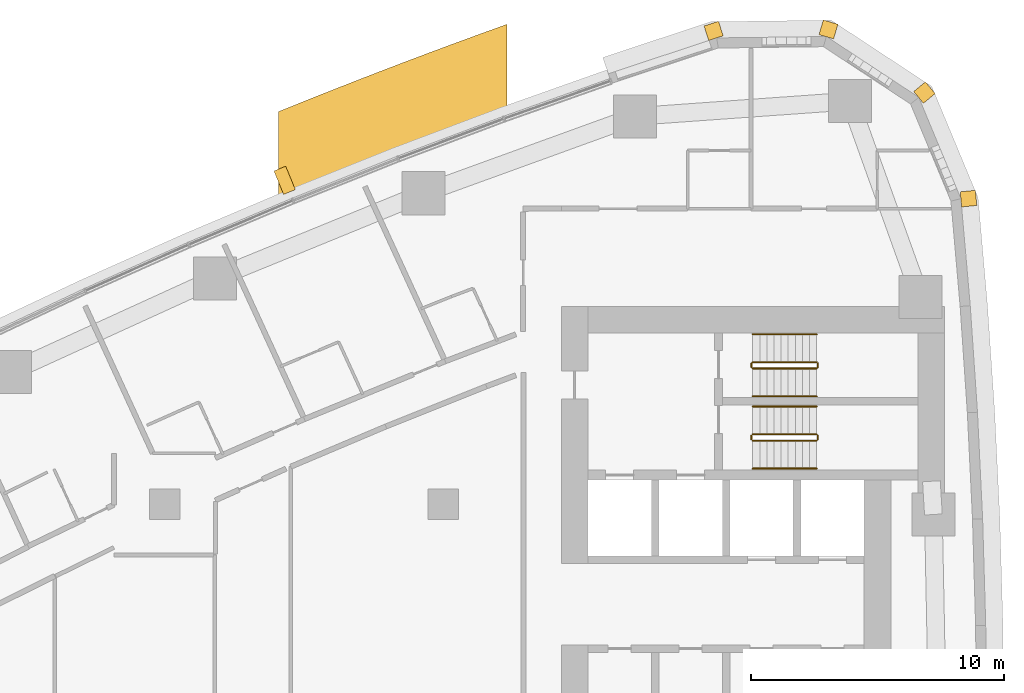
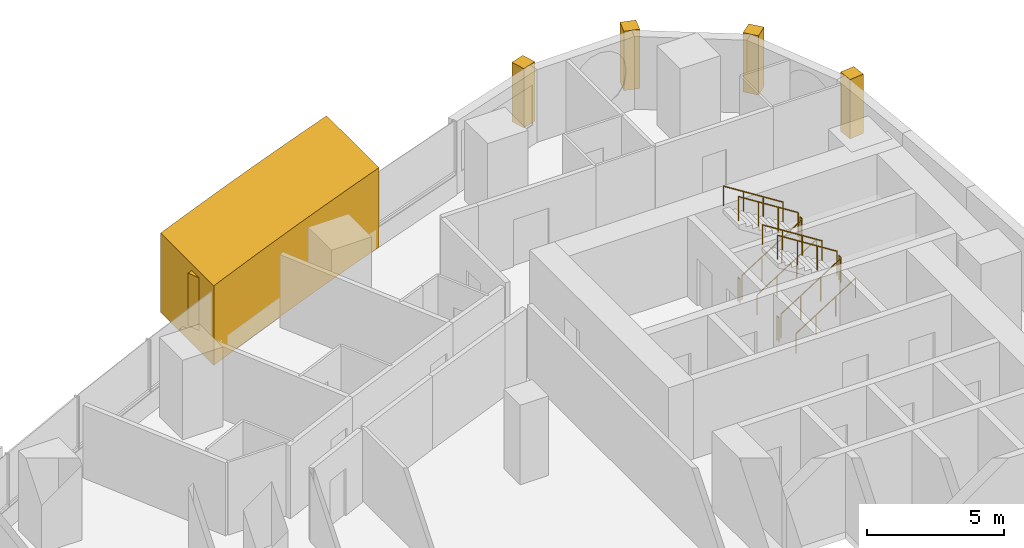
# One storey, part 17 of 17: 12 railings, 6 coverings.
"""IFC4 building model written with IfcOpenShell, lengths in metres."""

from ifc_helpers import new_model, si_unit, direction, frame, frame_2d, origin, origin_2d, place, context, subcontext, project, spatial, polyline, rectangle, circle, outline, extrude, material, layer, layer_set, type_object, element, save


model = new_model("IFC4")

# Units and contexts
model_context = context("Model", 3, precision=1e-05, world=origin(), true_north=direction((0.0, 1.0)))
body_context = subcontext(model_context, "Body", "Model", "MODEL_VIEW")
ifc_project = project(units=[si_unit("LENGTHUNIT", "METRE"), si_unit("AREAUNIT", "SQUARE_METRE"), si_unit("VOLUMEUNIT", "CUBIC_METRE"), si_unit("PLANEANGLEUNIT", "RADIAN"), si_unit("MASSUNIT", "GRAM", prefix="KILO")], contexts=[model_context])

# Site, building, storey
site_placement = place(None, origin())
site = spatial("IfcSite", under=ifc_project, at=site_placement, CompositionType="ELEMENT")
building_placement = place(site_placement, origin())
building = spatial("IfcBuilding", under=site, at=building_placement, Name="Ostrand Prow Hotel Tower", CompositionType="ELEMENT")
storey_placement = place(building_placement, frame((0.0, 0.0, 109.75)))
storey = spatial("IfcBuildingStorey", under=building, at=storey_placement, Name="L26", CompositionType="ELEMENT", Elevation=109.75)

# Coverings
ifc_material_1 = material(Name="Limestone cladding", Category="masonry")
ifc_layer_1 = layer(ifc_material_1, 5.0)
ifc_layer_set_1 = layer_set([ifc_layer_1], Name="Limestone cladding")
covering_type_1 = type_object("IfcCoveringType", Name="Portal jamb pilaster limestone", PredefinedType="CLADDING", material=ifc_layer_set_1)
covering_1_placement = place(storey_placement, origin())
element("IfcCovering", 1, at=covering_1_placement, inside=storey, type_object=covering_type_1, Name="Portal jamb NB L26", PredefinedType="CLADDING", context=body_context, shape_type="SweptSolid", body=[
    extrude(outline(polyline([(38.5, 20.59423828125), (39.5, 21.006103515625), (40.5, 21.412353515625), (41.5, 21.812744140625), (42.5, 22.207763671875), (43.5, 22.59716796875), (44.5, 22.98095703125), (45.5, 23.359130859375), (46.5, 23.732177734375), (47.5, 24.099609375), (47.5, 27.927490234375), (46.5, 27.566650390625), (45.5, 27.200439453125), (44.5, 26.8291015625), (43.5, 26.4521484375), (42.5, 26.06982421875), (41.5, 25.68212890625), (40.5, 25.2890625), (39.5, 24.890380859375), (38.5, 24.486083984375), (38.5, 20.59423828125)])), origin(), (0.0, 0.0, 1.0), 3.550048828125),
])
ifc_material_2 = material(Name="Limestone cladding", Category="masonry")
ifc_layer_2 = layer(ifc_material_2, 0.5)
ifc_layer_set_2 = layer_set([ifc_layer_2], Name="Limestone cladding")
covering_type_2 = type_object("IfcCoveringType", Name="Precast stone fin 500x900", PredefinedType="CLADDING", material=ifc_layer_set_2)
covering_2_placement = place(storey_placement, frame((38.9248046875, 21.310791015625, 0.89990234375), z_axis=(0.0, 0.0, 1.0), x_axis=(-0.380172536546, 0.924915586665, 0.0)))
element("IfcCovering", 2, at=covering_2_placement, inside=storey, type_object=covering_type_2, Name="Stone fin N 4", PredefinedType="CLADDING", context=body_context, shape_type="SweptSolid", body=[
    extrude(rectangle(XDim=1.0, YDim=0.5, at=frame_2d((0.5, 0.0))), origin(), (0.0, 0.0, 1.0), 2.35009765625),
])
ifc_material_3 = material(Name="Limestone cladding", Category="masonry")
ifc_layer_3 = layer(ifc_material_3, 0.60009765625)
ifc_layer_set_3 = layer_set([ifc_layer_3], Name="Limestone cladding")
covering_type_3 = type_object("IfcCoveringType", Name="Precast stone prow rib 600x600", PredefinedType="CLADDING", material=ifc_layer_set_3)
for number, where, z_axis, x_axis, name in (
    (3, (65.41650390625, 21.02099609375, 0.60009765625), (0.0, 0.0, 1.0), (0.99529571972, 0.096883591531, 0.0), "Stone corner rib 15a"),
    (4, (63.74365234375, 25.043212890625, 0.60009765625), (0.0, 0.0, 1.0), (0.770318500913, 0.637659319034, 0.0), "Stone corner rib 16a"),
):
    element("IfcCovering", number, at=place(storey_placement, frame(where, z_axis=z_axis, x_axis=x_axis)), inside=storey, type_object=covering_type_3, Name=name, PredefinedType="CLADDING", context=body_context, shape_type="SweptSolid", body=[
        extrude(rectangle(XDim=0.599853515625, YDim=0.60009765625, at=frame_2d((0.2998046875, 0.0))), origin(), (0.0, 0.0, 1.0), 2.64990234375),
    ])
covering_3_placement = place(storey_placement, frame((60.104736328125, 27.437744140625, 0.60009765625), z_axis=(0.0, 0.0, 1.0), x_axis=(0.280734221166, 0.959785547436, 0.0)))
element("IfcCovering", 5, at=covering_3_placement, inside=storey, type_object=covering_type_3, Name="Stone corner rib 17a", PredefinedType="CLADDING", context=body_context, shape_type="SweptSolid", body=[
    extrude(rectangle(XDim=0.60009765625, YDim=0.60009765625, at=frame_2d((0.300048828125, 0.0))), origin(), (0.0, 0.0, 1.0), 2.64990234375),
])
covering_4_placement = place(storey_placement, frame((55.7490234375, 27.3828125, 0.60009765625), z_axis=(0.0, 0.0, 1.0), x_axis=(-0.305218682065, 0.952282288042, 0.0)))
element("IfcCovering", 6, at=covering_4_placement, inside=storey, type_object=covering_type_3, Name="Stone corner rib 17b", PredefinedType="CLADDING", context=body_context, shape_type="SweptSolid", body=[
    extrude(rectangle(XDim=0.599853515625, YDim=0.60009765625, at=frame_2d((0.2998046875, 0.0))), origin(), (0.0, 0.0, 1.0), 2.64990234375),
])

# Railings
ifc_material_4 = material(Name="Painted steel", Category="steel")
railing_type_1 = type_object("IfcRailingType", Name="Stair guard 1100", PredefinedType="GUARDRAIL", material=ifc_material_4)
railing_1_placement = place(storey_placement, frame((57.199951171875, 11.5, 0.177490234375)))
element("IfcRailing", 7, at=railing_1_placement, inside=storey, type_object=railing_type_1, Name="L26 ST1C stair guard 1", PredefinedType="GUARDRAIL", context=body_context, shape_type="SweptSolid", body=[
    extrude(circle(Radius=0.02392578125, at=origin_2d()), frame((0.0, 0.0, 1.076171875), z_axis=(0.84460694969, 0.0, 0.535386869969), x_axis=(0.0, 1.0, 0.0)), (0.0, 0.0, 1.0), 2.983642578125),
    extrude(circle(Radius=0.02099609375, at=origin_2d()), origin(), (0.0, 0.0, 1.0), 1.052001953125),
    extrude(circle(Radius=0.02099609375, at=origin_2d()), frame((0.840087890625, 0.0, 0.532470703125)), (0.0, 0.0, 1.0), 1.052001953125),
    extrude(circle(Radius=0.02099609375, at=origin_2d()), frame((1.679931640625, 0.0, 1.06494140625)), (0.0, 0.0, 1.0), 1.052001953125),
    extrude(circle(Radius=0.02099609375, at=origin_2d()), frame((2.52001953125, 0.0, 1.597412109375)), (0.0, 0.0, 1.0), 1.052001953125),
])
railing_2_placement = place(storey_placement, frame((59.77001953125, 11.550048828125, 1.77490234375)))
element("IfcRailing", 8, at=railing_2_placement, inside=storey, type_object=railing_type_1, Name="L26 ST1C stair guard 2", PredefinedType="GUARDRAIL", context=body_context, shape_type="SweptSolid", body=[
    extrude(circle(Radius=0.02392578125, at=origin_2d()), frame((0.0, 0.0, 1.076171875), z_axis=(0.0, 1.0, 0.0), x_axis=(-1.0, 0.0, 0.0)), (0.0, 0.0, 1.0), 0.14990234375),
    extrude(circle(Radius=0.02099609375, at=origin_2d()), origin(), (0.0, 0.0, 1.0), 1.052001953125),
    extrude(circle(Radius=0.02099609375, at=origin_2d()), frame((0.0, 0.14990234375, 0.0)), (0.0, 0.0, 1.0), 1.052001953125),
])
railing_3_placement = place(storey_placement, frame((59.719970703125, 11.75, 1.952392578125)))
element("IfcRailing", 9, at=railing_3_placement, inside=storey, type_object=railing_type_1, Name="L26 ST1C stair guard 3", PredefinedType="GUARDRAIL", context=body_context, shape_type="SweptSolid", body=[
    extrude(circle(Radius=0.02392578125, at=origin_2d()), frame((0.0, 0.0, 1.076171875), z_axis=(-0.84456994832, 0.0, 0.535445237532), x_axis=(0.0, -1.0, 0.0)), (0.0, 0.0, 1.0), 2.98388671875),
    extrude(circle(Radius=0.02099609375, at=origin_2d()), origin(), (0.0, 0.0, 1.0), 1.052001953125),
    extrude(circle(Radius=0.02099609375, at=origin_2d()), frame((-0.840087890625, 0.0, 0.532470703125)), (0.0, 0.0, 1.0), 1.052001953125),
    extrude(circle(Radius=0.02099609375, at=origin_2d()), frame((-1.679931640625, 0.0, 1.065185546875)), (0.0, 0.0, 1.0), 1.052001953125),
    extrude(circle(Radius=0.02099609375, at=origin_2d()), frame((-2.52001953125, 0.0, 1.59765625)), (0.0, 0.0, 1.0), 1.052001953125),
])
railing_4_placement = place(storey_placement, frame((57.14990234375, 11.550048828125, 0.0)))
element("IfcRailing", 10, at=railing_4_placement, inside=storey, type_object=railing_type_1, Name="L26 ST1C stair guard 4", PredefinedType="GUARDRAIL", context=body_context, shape_type="SweptSolid", body=[
    extrude(circle(Radius=0.02392578125, at=origin_2d()), frame((0.0, 0.0, 1.076171875), z_axis=(0.0, 1.0, 0.0), x_axis=(-1.0, 0.0, 0.0)), (0.0, 0.0, 1.0), 0.14990234375),
    extrude(circle(Radius=0.02099609375, at=origin_2d()), origin(), (0.0, 0.0, 1.0), 1.052001953125),
    extrude(circle(Radius=0.02099609375, at=origin_2d()), frame((0.0, 0.14990234375, 0.0)), (0.0, 0.0, 1.0), 1.052001953125),
])
railing_5_placement = place(storey_placement, frame((57.199951171875, 14.35009765625, 0.177490234375)))
element("IfcRailing", 11, at=railing_5_placement, inside=storey, type_object=railing_type_1, Name="L26 ST3C stair guard 1", PredefinedType="GUARDRAIL", context=body_context, shape_type="SweptSolid", body=[
    extrude(circle(Radius=0.02392578125, at=origin_2d()), frame((0.0, 0.0, 1.076171875), z_axis=(0.84460694969, 0.0, 0.535386869969), x_axis=(0.0, 1.0, 0.0)), (0.0, 0.0, 1.0), 2.983642578125),
    extrude(circle(Radius=0.02099609375, at=origin_2d()), origin(), (0.0, 0.0, 1.0), 1.052001953125),
    extrude(circle(Radius=0.02099609375, at=origin_2d()), frame((0.840087890625, 0.0, 0.532470703125)), (0.0, 0.0, 1.0), 1.052001953125),
    extrude(circle(Radius=0.02099609375, at=origin_2d()), frame((1.679931640625, 0.0, 1.06494140625)), (0.0, 0.0, 1.0), 1.052001953125),
    extrude(circle(Radius=0.02099609375, at=origin_2d()), frame((2.52001953125, 0.0, 1.597412109375)), (0.0, 0.0, 1.0), 1.052001953125),
])
railing_6_placement = place(storey_placement, frame((59.77001953125, 14.39990234375, 1.77490234375)))
element("IfcRailing", 12, at=railing_6_placement, inside=storey, type_object=railing_type_1, Name="L26 ST3C stair guard 2", PredefinedType="GUARDRAIL", context=body_context, shape_type="SweptSolid", body=[
    extrude(circle(Radius=0.02392578125, at=origin_2d()), frame((0.0, 0.0, 1.076171875), z_axis=(0.0, 1.0, 0.0), x_axis=(-1.0, 0.0, 0.0)), (0.0, 0.0, 1.0), 0.150146484375),
    extrude(circle(Radius=0.02099609375, at=origin_2d()), origin(), (0.0, 0.0, 1.0), 1.052001953125),
    extrude(circle(Radius=0.02099609375, at=origin_2d()), frame((0.0, 0.150146484375, 0.0)), (0.0, 0.0, 1.0), 1.052001953125),
])
railing_7_placement = place(storey_placement, frame((59.719970703125, 14.60009765625, 1.952392578125)))
element("IfcRailing", 13, at=railing_7_placement, inside=storey, type_object=railing_type_1, Name="L26 ST3C stair guard 3", PredefinedType="GUARDRAIL", context=body_context, shape_type="SweptSolid", body=[
    extrude(circle(Radius=0.02392578125, at=origin_2d()), frame((0.0, 0.0, 1.076171875), z_axis=(-0.84456994832, 0.0, 0.535445237532), x_axis=(0.0, -1.0, 0.0)), (0.0, 0.0, 1.0), 2.98388671875),
    extrude(circle(Radius=0.02099609375, at=origin_2d()), origin(), (0.0, 0.0, 1.0), 1.052001953125),
    extrude(circle(Radius=0.02099609375, at=origin_2d()), frame((-0.840087890625, 0.0, 0.532470703125)), (0.0, 0.0, 1.0), 1.052001953125),
    extrude(circle(Radius=0.02099609375, at=origin_2d()), frame((-1.679931640625, 0.0, 1.065185546875)), (0.0, 0.0, 1.0), 1.052001953125),
    extrude(circle(Radius=0.02099609375, at=origin_2d()), frame((-2.52001953125, 0.0, 1.59765625)), (0.0, 0.0, 1.0), 1.052001953125),
])
railing_8_placement = place(storey_placement, frame((57.14990234375, 14.39990234375, 0.0)))
element("IfcRailing", 14, at=railing_8_placement, inside=storey, type_object=railing_type_1, Name="L26 ST3C stair guard 4", PredefinedType="GUARDRAIL", context=body_context, shape_type="SweptSolid", body=[
    extrude(circle(Radius=0.02392578125, at=origin_2d()), frame((0.0, 0.0, 1.076171875), z_axis=(0.0, 1.0, 0.0), x_axis=(-1.0, 0.0, 0.0)), (0.0, 0.0, 1.0), 0.150146484375),
    extrude(circle(Radius=0.02099609375, at=origin_2d()), origin(), (0.0, 0.0, 1.0), 1.052001953125),
    extrude(circle(Radius=0.02099609375, at=origin_2d()), frame((0.0, 0.150146484375, 0.0)), (0.0, 0.0, 1.0), 1.052001953125),
])
ifc_material_5 = material(Name="Stainless steel", Category="steel")
railing_type_2 = type_object("IfcRailingType", Name="Stair handrail 900", PredefinedType="HANDRAIL", material=ifc_material_5)
railing_9_placement = place(storey_placement, frame((57.199951171875, 10.39990234375, 0.177490234375)))
element("IfcRailing", 15, at=railing_9_placement, inside=storey, type_object=railing_type_2, Name="L26 ST1C stair handrail 1", PredefinedType="HANDRAIL", context=body_context, shape_type="SweptSolid", body=[
    extrude(circle(Radius=0.02392578125, at=origin_2d()), frame((0.0, 0.0, 0.8759765625), z_axis=(0.84460694969, 0.0, 0.535386869969), x_axis=(0.0, 1.0, 0.0)), (0.0, 0.0, 1.0), 2.983642578125),
    extrude(circle(Radius=0.02099609375, at=origin_2d()), origin(), (0.0, 0.0, 1.0), 0.851806640625),
    extrude(circle(Radius=0.02099609375, at=origin_2d()), frame((0.840087890625, 0.0, 0.532470703125)), (0.0, 0.0, 1.0), 0.851806640625),
    extrude(circle(Radius=0.02099609375, at=origin_2d()), frame((1.679931640625, 0.0, 1.06494140625)), (0.0, 0.0, 1.0), 0.851806640625),
    extrude(circle(Radius=0.02099609375, at=origin_2d()), frame((2.52001953125, 0.0, 1.597412109375)), (0.0, 0.0, 1.0), 0.851806640625),
])
railing_10_placement = place(storey_placement, frame((59.719970703125, 12.85009765625, 1.952392578125)))
element("IfcRailing", 16, at=railing_10_placement, inside=storey, type_object=railing_type_2, Name="L26 ST1C stair handrail 2", PredefinedType="HANDRAIL", context=body_context, shape_type="SweptSolid", body=[
    extrude(circle(Radius=0.02392578125, at=origin_2d()), frame((0.0, 0.0, 0.8759765625), z_axis=(-0.84456994832, 0.0, 0.535445237532), x_axis=(0.0, -1.0, 0.0)), (0.0, 0.0, 1.0), 2.98388671875),
    extrude(circle(Radius=0.02099609375, at=origin_2d()), origin(), (0.0, 0.0, 1.0), 0.851806640625),
    extrude(circle(Radius=0.02099609375, at=origin_2d()), frame((-0.840087890625, 0.0, 0.532470703125)), (0.0, 0.0, 1.0), 0.851806640625),
    extrude(circle(Radius=0.02099609375, at=origin_2d()), frame((-1.679931640625, 0.0, 1.065185546875)), (0.0, 0.0, 1.0), 0.851806640625),
    extrude(circle(Radius=0.02099609375, at=origin_2d()), frame((-2.52001953125, 0.0, 1.59765625)), (0.0, 0.0, 1.0), 0.851806640625),
])
railing_11_placement = place(storey_placement, frame((57.199951171875, 13.25, 0.177490234375)))
element("IfcRailing", 17, at=railing_11_placement, inside=storey, type_object=railing_type_2, Name="L26 ST3C stair handrail 1", PredefinedType="HANDRAIL", context=body_context, shape_type="SweptSolid", body=[
    extrude(circle(Radius=0.02392578125, at=origin_2d()), frame((0.0, 0.0, 0.8759765625), z_axis=(0.84460694969, 0.0, 0.535386869969), x_axis=(0.0, 1.0, 0.0)), (0.0, 0.0, 1.0), 2.983642578125),
    extrude(circle(Radius=0.02099609375, at=origin_2d()), origin(), (0.0, 0.0, 1.0), 0.851806640625),
    extrude(circle(Radius=0.02099609375, at=origin_2d()), frame((0.840087890625, 0.0, 0.532470703125)), (0.0, 0.0, 1.0), 0.851806640625),
    extrude(circle(Radius=0.02099609375, at=origin_2d()), frame((1.679931640625, 0.0, 1.06494140625)), (0.0, 0.0, 1.0), 0.851806640625),
    extrude(circle(Radius=0.02099609375, at=origin_2d()), frame((2.52001953125, 0.0, 1.597412109375)), (0.0, 0.0, 1.0), 0.851806640625),
])
railing_12_placement = place(storey_placement, frame((59.719970703125, 15.699951171875, 1.952392578125)))
element("IfcRailing", 18, at=railing_12_placement, inside=storey, type_object=railing_type_2, Name="L26 ST3C stair handrail 2", PredefinedType="HANDRAIL", context=body_context, shape_type="SweptSolid", body=[
    extrude(circle(Radius=0.02392578125, at=origin_2d()), frame((0.0, 0.0, 0.8759765625), z_axis=(-0.84456994832, 0.0, 0.535445237532), x_axis=(0.0, -1.0, 0.0)), (0.0, 0.0, 1.0), 2.98388671875),
    extrude(circle(Radius=0.02099609375, at=origin_2d()), origin(), (0.0, 0.0, 1.0), 0.851806640625),
    extrude(circle(Radius=0.02099609375, at=origin_2d()), frame((-0.840087890625, 0.0, 0.532470703125)), (0.0, 0.0, 1.0), 0.851806640625),
    extrude(circle(Radius=0.02099609375, at=origin_2d()), frame((-1.679931640625, 0.0, 1.065185546875)), (0.0, 0.0, 1.0), 0.851806640625),
    extrude(circle(Radius=0.02099609375, at=origin_2d()), frame((-2.52001953125, 0.0, 1.59765625)), (0.0, 0.0, 1.0), 0.851806640625),
])

save(model, "model.ifc")
